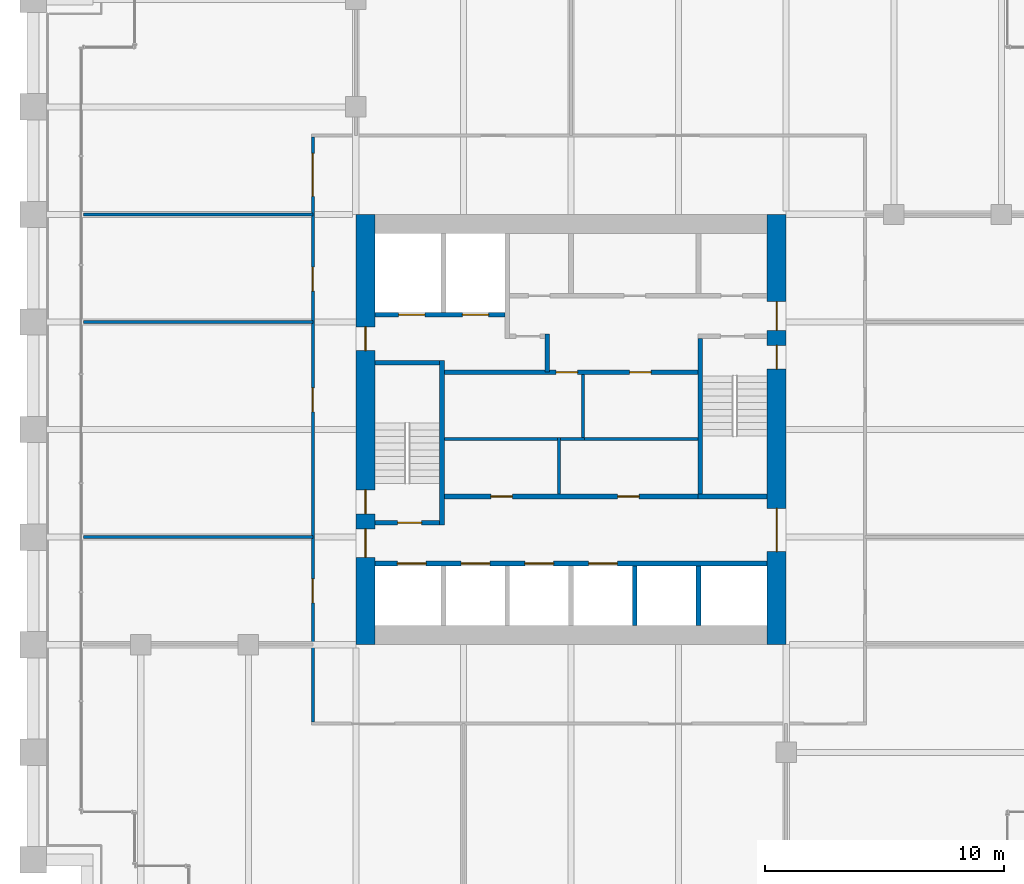
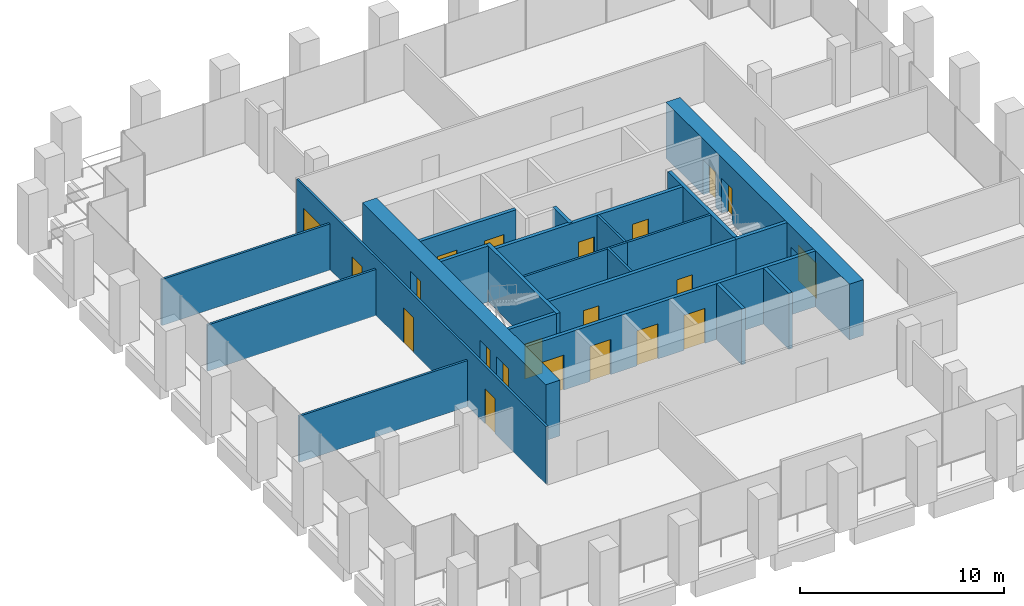
# One storey, part 50 of 56: 23 walls, 21 doors, 21 openings.
"""IFC4 building model written with IfcOpenShell, lengths in metres."""

from ifc_helpers import new_model, si_unit, direction, frame, frame_2d, origin, place, context, subcontext, project, spatial, rectangle, extrude, material, layer, layer_set, type_object, element, fill, save


model = new_model("IFC4")

# Units and contexts
model_context = context("Model", 3, precision=1e-05, world=origin(), true_north=direction((0.0, 1.0)))
body_context = subcontext(model_context, "Body", "Model", "MODEL_VIEW")
ifc_project = project(units=[si_unit("LENGTHUNIT", "METRE"), si_unit("AREAUNIT", "SQUARE_METRE"), si_unit("VOLUMEUNIT", "CUBIC_METRE"), si_unit("PLANEANGLEUNIT", "RADIAN"), si_unit("MASSUNIT", "GRAM", prefix="KILO")], contexts=[model_context])

# Site, building, storey
site_placement = place(None, origin())
site = spatial("IfcSite", under=ifc_project, at=site_placement, CompositionType="ELEMENT")
building_placement = place(site_placement, origin())
building = spatial("IfcBuilding", under=site, at=building_placement, Name="Altepetl Exchange Towers", CompositionType="ELEMENT")
storey_placement = place(building_placement, frame((0.0, 0.0, 79.800048828125)))
storey = spatial("IfcBuildingStorey", under=building, at=storey_placement, Name="L19", CompositionType="ELEMENT", Elevation=79.800048828125)

# Wall, openings, doors
ifc_material_1 = material(Name="Concrete C70/85", Category="concrete")
ifc_layer_1 = layer(ifc_material_1, 0.800048828125)
ifc_layer_set_1 = layer_set([ifc_layer_1], Name="Concrete C70/85")
wall_type_1 = type_object("IfcWallType", Name="Core wall 800 reinforced concrete", PredefinedType="SHEAR", material=ifc_layer_set_1)
wall_1_placement = place(storey_placement, frame((58.10009765625, 40.5, 0.0), z_axis=(0.0, 0.0, 1.0), x_axis=(0.0, 1.0, 0.0)))
wall_1 = element("IfcWall", 1, at=wall_1_placement, inside=storey, type_object=wall_type_1, Name="wall:A:L19:K-coreE", PredefinedType="SHEAR", context=body_context, shape_type="SweptSolid", body=[
    extrude(rectangle(XDim=18.0, YDim=0.800048828125, at=frame_2d((9.0, 0.0))), origin(), (0.0, 0.0, 1.0), 3.349853515625),
])
opening_1_placement = place(wall_1_placement, frame((13.14990234375, 0.0, 0.0)))
opening_1 = element("IfcOpeningElement", 2, at=opening_1_placement, cuts=wall_1, Name="Opening L19.A60", PredefinedType="OPENING", context=body_context, shape_type="SweptSolid", body=[
    extrude(rectangle(XDim=1.199951171875, YDim=2.10009765625, at=frame_2d((0.60009765625, 1.050048828125))), frame((0.0, 0.41015625, 0.0), z_axis=(0.0, -1.0, 0.0), x_axis=(1.0, 0.0, 0.0)), (0.0, 0.0, 1.0), 0.820068359375),
])
opening_2_placement = place(wall_1_placement, frame((3.89990234375, 0.0, 0.0)))
opening_2 = element("IfcOpeningElement", 3, at=opening_2_placement, cuts=wall_1, Name="Opening L19.A61", PredefinedType="OPENING", context=body_context, shape_type="SweptSolid", body=[
    extrude(rectangle(XDim=1.800048828125, YDim=2.10009765625, at=frame_2d((0.89990234375, 1.050048828125))), frame((0.0, 0.41015625, 0.0), z_axis=(0.0, -1.0, 0.0), x_axis=(1.0, 0.0, 0.0)), (0.0, 0.0, 1.0), 0.820068359375),
])
opening_3_placement = place(wall_1_placement, frame((11.52490234375, 0.0, 0.0)))
opening_3 = element("IfcOpeningElement", 4, at=opening_3_placement, cuts=wall_1, Name="Opening L19.A66", PredefinedType="OPENING", context=body_context, shape_type="SweptSolid", body=[
    extrude(rectangle(XDim=1.0, YDim=2.10009765625, at=frame_2d((0.5, 1.050048828125))), frame((0.0, 0.41015625, 0.0), z_axis=(0.0, -1.0, 0.0), x_axis=(1.0, 0.0, 0.0)), (0.0, 0.0, 1.0), 0.820068359375),
])
ifc_material_2 = material(Name="Steel and timber fire door", Category="steel")
door_type_1 = type_object("IfcDoorType", Name="Fire door 1000 x 2100 stair and lobby", OperationType="SINGLE_SWING_LEFT", PredefinedType="DOOR", material=ifc_material_2)
door_1_placement = place(opening_3_placement, origin())
door_1 = element("IfcDoor", 5, at=door_1_placement, inside=storey, type_object=door_type_1, Name="door:A:L19:K-dS2x", OperationType="SINGLE_SWING_RIGHT", OverallHeight=2.10009765625, OverallWidth=1.0, PredefinedType="DOOR", context=body_context, shape_type="SweptSolid", body=[
    extrude(rectangle(XDim=1.0, YDim=2.10009765625, at=frame_2d((0.5, 1.050048828125))), frame((0.0, 0.02490234375, 0.0), z_axis=(0.0, -1.0, 0.0), x_axis=(1.0, 0.0, 0.0)), (0.0, 0.0, 1.0), 0.050048828125),
])
fill(opening_3, door_1)
door_type_2 = type_object("IfcDoorType", Name="Fire door 1200 x 2100 lobby entry", OperationType="SINGLE_SWING_LEFT", PredefinedType="DOOR", material=ifc_material_2)
door_2_placement = place(opening_1_placement, origin())
door_2 = element("IfcDoor", 6, at=door_2_placement, inside=storey, type_object=door_type_2, Name="door:A:L19:K-dLNE", OperationType="SINGLE_SWING_RIGHT", OverallHeight=2.10009765625, OverallWidth=1.199951171875, PredefinedType="DOOR", context=body_context, shape_type="SweptSolid", body=[
    extrude(rectangle(XDim=1.199951171875, YDim=2.10009765625, at=frame_2d((0.60009765625, 1.050048828125))), frame((0.0, 0.02490234375, 0.0), z_axis=(0.0, -1.0, 0.0), x_axis=(1.0, 0.0, 0.0)), (0.0, 0.0, 1.0), 0.050048828125),
])
fill(opening_1, door_2)
door_type_3 = type_object("IfcDoorType", Name="Fire door 1800 x 2100 lobby entry", OperationType="DOUBLE_DOOR_SINGLE_SWING", PredefinedType="DOOR", material=ifc_material_2)
door_3_placement = place(opening_2_placement, origin())
door_3 = element("IfcDoor", 7, at=door_3_placement, inside=storey, type_object=door_type_3, Name="door:A:L19:K-dLSE", OperationType="DOUBLE_DOOR_SINGLE_SWING", OverallHeight=2.10009765625, OverallWidth=1.800048828125, PredefinedType="DOOR", context=body_context, shape_type="SweptSolid", body=[
    extrude(rectangle(XDim=1.800048828125, YDim=2.10009765625, at=frame_2d((0.89990234375, 1.050048828125))), frame((0.0, 0.02490234375, 0.0), z_axis=(0.0, -1.0, 0.0), x_axis=(1.0, 0.0, 0.0)), (0.0, 0.0, 1.0), 0.050048828125),
])
fill(opening_2, door_3)

wall_2_placement = place(storey_placement, frame((40.89990234375, 40.5, 0.0), z_axis=(0.0, 0.0, 1.0), x_axis=(0.0, 1.0, 0.0)))
wall_2 = element("IfcWall", 8, at=wall_2_placement, inside=storey, type_object=wall_type_1, Name="wall:A:L19:K-coreW", PredefinedType="SHEAR", context=body_context, shape_type="SweptSolid", body=[
    extrude(rectangle(XDim=18.0, YDim=0.800048828125, at=frame_2d((9.0, 0.0))), origin(), (0.0, 0.0, 1.0), 3.349853515625),
])
opening_4_placement = place(wall_2_placement, frame((3.64990234375, 0.0, 0.0)))
opening_4 = element("IfcOpeningElement", 9, at=opening_4_placement, cuts=wall_2, Name="Opening L19.A62", PredefinedType="OPENING", context=body_context, shape_type="SweptSolid", body=[
    extrude(rectangle(XDim=1.199951171875, YDim=2.10009765625, at=frame_2d((0.60009765625, 1.050048828125))), frame((0.0, 0.41015625, 0.0), z_axis=(0.0, -1.0, 0.0), x_axis=(1.0, 0.0, 0.0)), (0.0, 0.0, 1.0), 0.820068359375),
])
opening_5_placement = place(wall_2_placement, frame((5.47509765625, 0.0, 0.0)))
opening_5 = element("IfcOpeningElement", 10, at=opening_5_placement, cuts=wall_2, Name="Opening L19.A64", PredefinedType="OPENING", context=body_context, shape_type="SweptSolid", body=[
    extrude(rectangle(XDim=1.0, YDim=2.10009765625, at=frame_2d((0.5, 1.050048828125))), frame((0.0, 0.41015625, 0.0), z_axis=(0.0, -1.0, 0.0), x_axis=(1.0, 0.0, 0.0)), (0.0, 0.0, 1.0), 0.820068359375),
])
opening_6_placement = place(wall_2_placement, frame((12.300048828125, 0.0, 0.0)))
opening_6 = element("IfcOpeningElement", 11, at=opening_6_placement, cuts=wall_2, Name="Opening L19.A68", PredefinedType="OPENING", context=body_context, shape_type="SweptSolid", body=[
    extrude(rectangle(XDim=1.0, YDim=2.10009765625, at=frame_2d((0.5, 1.050048828125))), frame((0.0, 0.41015625, 0.0), z_axis=(0.0, -1.0, 0.0), x_axis=(1.0, 0.0, 0.0)), (0.0, 0.0, 1.0), 0.820068359375),
])
door_4_placement = place(opening_5_placement, frame((1.0, 0.0, 0.0), x_axis=(-1.0, 0.0, 0.0)))
door_4 = element("IfcDoor", 12, at=door_4_placement, inside=storey, type_object=door_type_1, Name="door:A:L19:K-dS1x", OperationType="SINGLE_SWING_RIGHT", OverallHeight=2.10009765625, OverallWidth=1.0, PredefinedType="DOOR", context=body_context, shape_type="SweptSolid", body=[
    extrude(rectangle(XDim=1.0, YDim=2.10009765625, at=frame_2d((0.5, 1.050048828125))), frame((0.0, 0.02490234375, 0.0), z_axis=(0.0, -1.0, 0.0), x_axis=(1.0, 0.0, 0.0)), (0.0, 0.0, 1.0), 0.050048828125),
])
fill(opening_5, door_4)
door_5_placement = place(opening_6_placement, frame((1.0, 0.0, 0.0), x_axis=(-1.0, 0.0, 0.0)))
door_5 = element("IfcDoor", 13, at=door_5_placement, inside=storey, type_object=door_type_1, Name="door:A:L19:K-dffW", OperationType="SINGLE_SWING_LEFT", OverallHeight=2.10009765625, OverallWidth=1.0, PredefinedType="DOOR", context=body_context, shape_type="SweptSolid", body=[
    extrude(rectangle(XDim=1.0, YDim=2.10009765625, at=frame_2d((0.5, 1.050048828125))), frame((0.0, 0.02490234375, 0.0), z_axis=(0.0, -1.0, 0.0), x_axis=(1.0, 0.0, 0.0)), (0.0, 0.0, 1.0), 0.050048828125),
])
fill(opening_6, door_5)
door_6_placement = place(opening_4_placement, frame((1.199951171875, 0.0, 0.0), x_axis=(-1.0, 0.0, 0.0)))
door_6 = element("IfcDoor", 14, at=door_6_placement, inside=storey, type_object=door_type_2, Name="door:A:L19:K-dLSW", OperationType="SINGLE_SWING_LEFT", OverallHeight=2.10009765625, OverallWidth=1.199951171875, PredefinedType="DOOR", context=body_context, shape_type="SweptSolid", body=[
    extrude(rectangle(XDim=1.199951171875, YDim=2.10009765625, at=frame_2d((0.60009765625, 1.050048828125))), frame((0.0, 0.02490234375, 0.0), z_axis=(0.0, -1.0, 0.0), x_axis=(1.0, 0.0, 0.0)), (0.0, 0.0, 1.0), 0.050048828125),
])
fill(opening_4, door_6)

# Wall
ifc_material_3 = material(Name="Concrete blockwork", Category="masonry")
ifc_layer_2 = layer(ifc_material_3, 0.199951171875)
ifc_layer_set_2 = layer_set([ifc_layer_2], Name="Concrete blockwork")
wall_type_2 = type_object("IfcWallType", Name="Lobby wall 200 blockwork", PredefinedType="PARTITIONING", material=ifc_layer_set_2)
wall_3_placement = place(storey_placement, frame((48.5, 51.89990234375, 0.0), z_axis=(0.0, 0.0, 1.0), x_axis=(0.0, 1.0, 0.0)))
element("IfcWall", 15, at=wall_3_placement, inside=storey, type_object=wall_type_2, Name="wall:A:L19:K-ffE", PredefinedType="PARTITIONING", context=body_context, shape_type="SweptSolid", body=[
    extrude(rectangle(XDim=1.60009765625, YDim=0.199951171875, at=frame_2d((0.800048828125, 0.0))), origin(), (0.0, 0.0, 1.0), 3.349853515625),
])

# Wall, openings, doors
wall_4_placement = place(storey_placement, frame((44.199951171875, 51.89990234375, 0.0)))
wall_4 = element("IfcWall", 16, at=wall_4_placement, inside=storey, type_object=wall_type_2, Name="wall:A:L19:K-zoneN", PredefinedType="PARTITIONING", context=body_context, shape_type="SweptSolid", body=[
    extrude(rectangle(XDim=10.60009765625, YDim=0.199951171875, at=frame_2d((5.300048828125, 0.0))), origin(), (0.0, 0.0, 1.0), 3.349853515625),
])
opening_7_placement = place(wall_4_placement, frame((4.675048828125, 0.0, 0.0)))
opening_7 = element("IfcOpeningElement", 17, at=opening_7_placement, cuts=wall_4, Name="Opening L19.A74", PredefinedType="OPENING", context=body_context, shape_type="SweptSolid", body=[
    extrude(rectangle(XDim=0.89990234375, YDim=2.10009765625, at=frame_2d((0.449951171875, 1.050048828125))), frame((0.0, 0.10986328125, 0.0), z_axis=(0.0, -1.0, 0.0), x_axis=(1.0, 0.0, 0.0)), (0.0, 0.0, 1.0), 0.219970703125),
])
opening_8_placement = place(wall_4_placement, frame((7.75, 0.0, 0.0)))
opening_8 = element("IfcOpeningElement", 18, at=opening_8_placement, cuts=wall_4, Name="Opening L19.A75", PredefinedType="OPENING", context=body_context, shape_type="SweptSolid", body=[
    extrude(rectangle(XDim=0.89990234375, YDim=2.10009765625, at=frame_2d((0.449951171875, 1.050048828125))), frame((0.0, 0.10986328125, 0.0), z_axis=(0.0, -1.0, 0.0), x_axis=(1.0, 0.0, 0.0)), (0.0, 0.0, 1.0), 0.219970703125),
])
door_type_4 = type_object("IfcDoorType", Name="Fire door 900 x 2100 service room", OperationType="SINGLE_SWING_LEFT", PredefinedType="DOOR", material=ifc_material_2)
door_7_placement = place(opening_7_placement, frame((0.89990234375, 0.0, 0.0), x_axis=(-1.0, 0.0, 0.0)))
door_7 = element("IfcDoor", 19, at=door_7_placement, inside=storey, type_object=door_type_4, Name="door:A:L19:K-dz3", OperationType="SINGLE_SWING_LEFT", OverallHeight=2.10009765625, OverallWidth=0.89990234375, PredefinedType="DOOR", context=body_context, shape_type="SweptSolid", body=[
    extrude(rectangle(XDim=0.89990234375, YDim=2.10009765625, at=frame_2d((0.449951171875, 1.050048828125))), frame((0.0, 0.02490234375, 0.0), z_axis=(0.0, -1.0, 0.0), x_axis=(1.0, 0.0, 0.0)), (0.0, 0.0, 1.0), 0.050048828125),
])
fill(opening_7, door_7)
door_8_placement = place(opening_8_placement, frame((0.89990234375, 0.0, 0.0), x_axis=(-1.0, 0.0, 0.0)))
door_8 = element("IfcDoor", 20, at=door_8_placement, inside=storey, type_object=door_type_4, Name="door:A:L19:K-dz4", OperationType="SINGLE_SWING_LEFT", OverallHeight=2.10009765625, OverallWidth=0.89990234375, PredefinedType="DOOR", context=body_context, shape_type="SweptSolid", body=[
    extrude(rectangle(XDim=0.89990234375, YDim=2.10009765625, at=frame_2d((0.449951171875, 1.050048828125))), frame((0.0, 0.02490234375, 0.0), z_axis=(0.0, -1.0, 0.0), x_axis=(1.0, 0.0, 0.0)), (0.0, 0.0, 1.0), 0.050048828125),
])
fill(opening_8, door_8)

wall_5_placement = place(storey_placement, frame((44.199951171875, 46.699951171875, 0.0)))
wall_5 = element("IfcWall", 21, at=wall_5_placement, inside=storey, type_object=wall_type_2, Name="wall:A:L19:K-zoneS", PredefinedType="PARTITIONING", context=body_context, shape_type="SweptSolid", body=[
    extrude(rectangle(XDim=10.60009765625, YDim=0.199951171875, at=frame_2d((5.300048828125, 0.0))), origin(), (0.0, 0.0, 1.0), 3.349853515625),
])
opening_9_placement = place(wall_5_placement, frame((1.949951171875, 0.0, 0.0)))
opening_9 = element("IfcOpeningElement", 22, at=opening_9_placement, cuts=wall_5, Name="Opening L19.A72", PredefinedType="OPENING", context=body_context, shape_type="SweptSolid", body=[
    extrude(rectangle(XDim=0.89990234375, YDim=2.10009765625, at=frame_2d((0.449951171875, 1.050048828125))), frame((0.0, 0.10986328125, 0.0), z_axis=(0.0, -1.0, 0.0), x_axis=(1.0, 0.0, 0.0)), (0.0, 0.0, 1.0), 0.219970703125),
])
opening_10_placement = place(wall_5_placement, frame((7.25, 0.0, 0.0)))
opening_10 = element("IfcOpeningElement", 23, at=opening_10_placement, cuts=wall_5, Name="Opening L19.A73", PredefinedType="OPENING", context=body_context, shape_type="SweptSolid", body=[
    extrude(rectangle(XDim=0.89990234375, YDim=2.10009765625, at=frame_2d((0.449951171875, 1.050048828125))), frame((0.0, 0.10986328125, 0.0), z_axis=(0.0, -1.0, 0.0), x_axis=(1.0, 0.0, 0.0)), (0.0, 0.0, 1.0), 0.219970703125),
])
door_9_placement = place(opening_9_placement, origin())
door_9 = element("IfcDoor", 24, at=door_9_placement, inside=storey, type_object=door_type_4, Name="door:A:L19:K-dz1", OperationType="SINGLE_SWING_LEFT", OverallHeight=2.10009765625, OverallWidth=0.89990234375, PredefinedType="DOOR", context=body_context, shape_type="SweptSolid", body=[
    extrude(rectangle(XDim=0.89990234375, YDim=2.10009765625, at=frame_2d((0.449951171875, 1.050048828125))), frame((0.0, 0.02490234375, 0.0), z_axis=(0.0, -1.0, 0.0), x_axis=(1.0, 0.0, 0.0)), (0.0, 0.0, 1.0), 0.050048828125),
])
fill(opening_9, door_9)
door_10_placement = place(opening_10_placement, origin())
door_10 = element("IfcDoor", 25, at=door_10_placement, inside=storey, type_object=door_type_4, Name="door:A:L19:K-dz2", OperationType="SINGLE_SWING_RIGHT", OverallHeight=2.10009765625, OverallWidth=0.89990234375, PredefinedType="DOOR", context=body_context, shape_type="SweptSolid", body=[
    extrude(rectangle(XDim=0.89990234375, YDim=2.10009765625, at=frame_2d((0.449951171875, 1.050048828125))), frame((0.0, 0.02490234375, 0.0), z_axis=(0.0, -1.0, 0.0), x_axis=(1.0, 0.0, 0.0)), (0.0, 0.0, 1.0), 0.050048828125),
])
fill(opening_10, door_10)

# Walls
ifc_material_4 = material(Name="Gypsum board on steel studs", Category="steel")
ifc_layer_3 = layer(ifc_material_4, 0.125)
ifc_layer_set_3 = layer_set([ifc_layer_3], Name="Gypsum board on steel studs")
wall_type_3 = type_object("IfcWallType", Name="Partition 125 gypsum board on steel studs", PredefinedType="PARTITIONING", material=ifc_layer_set_3)
wall_6_placement = place(storey_placement, frame((49.0, 46.800048828125, 0.0), z_axis=(0.0, 0.0, 1.0), x_axis=(0.0, 1.0, 0.0)))
element("IfcWall", 26, at=wall_6_placement, inside=storey, type_object=wall_type_3, Name="wall:A:L19:K-zp1", PredefinedType="PARTITIONING", context=body_context, shape_type="SweptSolid", body=[
    extrude(rectangle(XDim=2.362548828125, YDim=0.125, at=frame_2d((1.18115234375, 0.0))), origin(), (0.0, 0.0, 1.0), 3.349853515625),
])
wall_7_placement = place(storey_placement, frame((49.0, 49.10009765625, 0.0), z_axis=(0.0, 0.0, 1.0), x_axis=(-1.0, 0.0, 0.0)))
element("IfcWall", 27, at=wall_7_placement, inside=storey, type_object=wall_type_3, Name="wall:A:L19:K-zp2", PredefinedType="PARTITIONING", context=body_context, shape_type="SweptSolid", body=[
    extrude(rectangle(XDim=4.800048828125, YDim=0.125, at=frame_2d((2.39990234375, 0.0))), origin(), (0.0, 0.0, 1.0), 3.349853515625),
])
wall_8_placement = place(storey_placement, frame((50.0625, 49.10009765625, 0.0), z_axis=(0.0, 0.0, 1.0), x_axis=(-1.0, 0.0, 0.0)))
element("IfcWall", 28, at=wall_8_placement, inside=storey, type_object=wall_type_3, Name="wall:A:L19:K-zp3", PredefinedType="PARTITIONING", context=body_context, shape_type="SweptSolid", body=[
    extrude(rectangle(XDim=1.0, YDim=0.125, at=frame_2d((0.5, 0.0))), origin(), (0.0, 0.0, 1.0), 3.349853515625),
])
wall_9_placement = place(storey_placement, frame((54.800048828125, 49.10009765625, 0.0), z_axis=(0.0, 0.0, 1.0), x_axis=(-1.0, 0.0, 0.0)))
element("IfcWall", 29, at=wall_9_placement, inside=storey, type_object=wall_type_3, Name="wall:A:L19:K-zp4", PredefinedType="PARTITIONING", context=body_context, shape_type="SweptSolid", body=[
    extrude(rectangle(XDim=4.800048828125, YDim=0.125, at=frame_2d((2.39990234375, 0.0))), origin(), (0.0, 0.0, 1.0), 3.349853515625),
])
wall_10_placement = place(storey_placement, frame((50.0, 49.16259765625, 0.0), z_axis=(0.0, 0.0, 1.0), x_axis=(0.0, 1.0, 0.0)))
element("IfcWall", 30, at=wall_10_placement, inside=storey, type_object=wall_type_3, Name="wall:A:L19:K-zp5", PredefinedType="PARTITIONING", context=body_context, shape_type="SweptSolid", body=[
    extrude(rectangle(XDim=2.637451171875, YDim=0.125, at=frame_2d((1.31884765625, 0.0))), origin(), (0.0, 0.0, 1.0), 3.349853515625),
])
for number, where, name in (
    (31, (29.10009765625, 45.0, 0.0), "wall:A:L19:P06"),
    (32, (29.10009765625, 54.0, 0.0), "wall:A:L19:P08"),
    (33, (29.10009765625, 58.5, 0.0), "wall:A:L19:P10"),
):
    element("IfcWall", number, at=place(storey_placement, frame(where)), inside=storey, type_object=wall_type_3, Name=name, PredefinedType="PARTITIONING", context=body_context, shape_type="SweptSolid", body=[
        extrude(rectangle(XDim=9.599853515625, YDim=0.125, at=frame_2d((4.7998046875, 0.0))), origin(), (0.0, 0.0, 1.0), 2.765869140625),
    ])

# Wall, openings, doors
wall_11_placement = place(storey_placement, frame((38.699951171875, 37.262451171875, 0.0), z_axis=(0.0, 0.0, 1.0), x_axis=(0.0, 1.0, 0.0)))
wall_11 = element("IfcWall", 34, at=wall_11_placement, inside=storey, type_object=wall_type_3, Name="wall:A:L19:P15", PredefinedType="PARTITIONING", context=body_context, shape_type="SweptSolid", body=[
    extrude(rectangle(XDim=24.47509765625, YDim=0.125, at=frame_2d((12.237548828125, 0.0))), origin(), (0.0, 0.0, 1.0), 3.449951171875),
])
opening_11_placement = place(wall_11_placement, frame((4.987548828125, 0.0, 0.0)))
opening_11 = element("IfcOpeningElement", 35, at=opening_11_placement, cuts=wall_11, Name="Opening L19.A01", PredefinedType="OPENING", context=body_context, shape_type="SweptSolid", body=[
    extrude(rectangle(XDim=1.0, YDim=2.10009765625, at=frame_2d((0.5, 1.050048828125))), frame((0.0, 0.072509765625, 0.0), z_axis=(0.0, -1.0, 0.0), x_axis=(1.0, 0.0, 0.0)), (0.0, 0.0, 1.0), 0.14501953125),
])
opening_12_placement = place(wall_11_placement, frame((21.987548828125, 0.0, 0.0)))
opening_12 = element("IfcOpeningElement", 36, at=opening_12_placement, cuts=wall_11, Name="Opening L19.A10", PredefinedType="OPENING", context=body_context, shape_type="SweptSolid", body=[
    extrude(rectangle(XDim=1.800048828125, YDim=2.10009765625, at=frame_2d((0.89990234375, 1.050048828125))), frame((0.0, 0.072509765625, 0.0), z_axis=(0.0, -1.0, 0.0), x_axis=(1.0, 0.0, 0.0)), (0.0, 0.0, 1.0), 0.14501953125),
])
opening_13_placement = place(wall_11_placement, frame((18.032470703125, 0.0, 0.0)))
opening_13 = element("IfcOpeningElement", 37, at=opening_13_placement, cuts=wall_11, Name="Opening L19.A11", PredefinedType="OPENING", context=body_context, shape_type="SweptSolid", body=[
    extrude(rectangle(XDim=1.0, YDim=2.10009765625, at=frame_2d((0.5, 1.050048828125))), frame((0.0, 0.072509765625, 0.0), z_axis=(0.0, -1.0, 0.0), x_axis=(1.0, 0.0, 0.0)), (0.0, 0.0, 1.0), 0.14501953125),
])
opening_14_placement = place(wall_11_placement, frame((12.9794921875, 0.0, 0.0)))
opening_14 = element("IfcOpeningElement", 38, at=opening_14_placement, cuts=wall_11, Name="Opening L19.A12", PredefinedType="OPENING", context=body_context, shape_type="SweptSolid", body=[
    extrude(rectangle(XDim=1.0, YDim=2.10009765625, at=frame_2d((0.5, 1.050048828125))), frame((0.0, 0.072509765625, 0.0), z_axis=(0.0, -1.0, 0.0), x_axis=(1.0, 0.0, 0.0)), (0.0, 0.0, 1.0), 0.14501953125),
])
door_type_5 = type_object("IfcDoorType", Name="Fire door 1000 x 2100 single leaf", OperationType="SINGLE_SWING_LEFT", PredefinedType="DOOR", material=ifc_material_2)
door_11_placement = place(opening_11_placement, origin())
door_11 = element("IfcDoor", 39, at=door_11_placement, inside=storey, type_object=door_type_5, Name="door:A:L19:01", OperationType="SINGLE_SWING_RIGHT", OverallHeight=2.10009765625, OverallWidth=1.0, PredefinedType="DOOR", context=body_context, shape_type="SweptSolid", body=[
    extrude(rectangle(XDim=1.0, YDim=2.10009765625, at=frame_2d((0.5, 1.050048828125))), frame((0.0, 0.02490234375, 0.0), z_axis=(0.0, -1.0, 0.0), x_axis=(1.0, 0.0, 0.0)), (0.0, 0.0, 1.0), 0.050048828125),
])
fill(opening_11, door_11)
door_12_placement = place(opening_13_placement, origin())
door_12 = element("IfcDoor", 40, at=door_12_placement, inside=storey, type_object=door_type_5, Name="door:A:L19:11", OperationType="SINGLE_SWING_RIGHT", OverallHeight=2.10009765625, OverallWidth=1.0, PredefinedType="DOOR", context=body_context, shape_type="SweptSolid", body=[
    extrude(rectangle(XDim=1.0, YDim=2.10009765625, at=frame_2d((0.5, 1.050048828125))), frame((0.0, 0.02490234375, 0.0), z_axis=(0.0, -1.0, 0.0), x_axis=(1.0, 0.0, 0.0)), (0.0, 0.0, 1.0), 0.050048828125),
])
fill(opening_13, door_12)
door_13_placement = place(opening_14_placement, origin())
door_13 = element("IfcDoor", 41, at=door_13_placement, inside=storey, type_object=door_type_5, Name="door:A:L19:12", OperationType="SINGLE_SWING_RIGHT", OverallHeight=2.10009765625, OverallWidth=1.0, PredefinedType="DOOR", context=body_context, shape_type="SweptSolid", body=[
    extrude(rectangle(XDim=1.0, YDim=2.10009765625, at=frame_2d((0.5, 1.050048828125))), frame((0.0, 0.02490234375, 0.0), z_axis=(0.0, -1.0, 0.0), x_axis=(1.0, 0.0, 0.0)), (0.0, 0.0, 1.0), 0.050048828125),
])
fill(opening_14, door_13)
door_type_6 = type_object("IfcDoorType", Name="Fire door 1800 x 2100 double leaf", OperationType="DOUBLE_DOOR_SINGLE_SWING", PredefinedType="DOOR", material=ifc_material_2)
door_14_placement = place(opening_12_placement, origin())
door_14 = element("IfcDoor", 42, at=door_14_placement, inside=storey, type_object=door_type_6, Name="door:A:L19:10", OperationType="DOUBLE_DOOR_SINGLE_SWING", OverallHeight=2.10009765625, OverallWidth=1.800048828125, PredefinedType="DOOR", context=body_context, shape_type="SweptSolid", body=[
    extrude(rectangle(XDim=1.800048828125, YDim=2.10009765625, at=frame_2d((0.89990234375, 1.050048828125))), frame((0.0, 0.02490234375, 0.0), z_axis=(0.0, -1.0, 0.0), x_axis=(1.0, 0.0, 0.0)), (0.0, 0.0, 1.0), 0.050048828125),
])
fill(opening_12, door_14)

# Walls
ifc_material_5 = material(Name="Concrete C40/50", Category="concrete")
ifc_layer_4 = layer(ifc_material_5, 0.199951171875)
ifc_layer_set_4 = layer_set([ifc_layer_4], Name="Concrete C40/50")
wall_type_4 = type_object("IfcWallType", Name="Shaft wall 200 reinforced concrete", PredefinedType="SHEAR", material=ifc_layer_set_4)
for number, where, z_axis, x_axis, name in (
    (43, (52.166748046875, 41.300048828125, 0.0), (0.0, 0.0, 1.0), (0.0, 1.0, 0.0), "wall:A:L19:K-divS4"),
    (44, (54.833251953125, 41.300048828125, 0.0), (0.0, 0.0, 1.0), (0.0, 1.0, 0.0), "wall:A:L19:K-divS5"),
):
    element("IfcWall", number, at=place(storey_placement, frame(where, z_axis=z_axis, x_axis=x_axis)), inside=storey, type_object=wall_type_4, Name=name, PredefinedType="SHEAR", context=body_context, shape_type="SweptSolid", body=[
        extrude(rectangle(XDim=2.5, YDim=0.199951171875, at=frame_2d((1.25, 0.0))), origin(), (0.0, 0.0, 1.0), 3.349853515625),
    ])

# Wall, openings, doors
wall_12_placement = place(storey_placement, frame((41.300048828125, 54.300048828125, 0.0)))
wall_12 = element("IfcWall", 45, at=wall_12_placement, inside=storey, type_object=wall_type_4, Name="wall:A:L19:K-frontNd", PredefinedType="SHEAR", context=body_context, shape_type="SweptSolid", body=[
    extrude(rectangle(XDim=5.433349609375, YDim=0.199951171875, at=frame_2d((2.716796875, 0.0))), origin(), (0.0, 0.0, 1.0), 3.349853515625),
])
opening_15_placement = place(wall_12_placement, frame((0.9833984375, 0.0, 0.0)))
opening_15 = element("IfcOpeningElement", 46, at=opening_15_placement, cuts=wall_12, Name="Opening L19.A76", PredefinedType="OPENING", context=body_context, shape_type="SweptSolid", body=[
    extrude(rectangle(XDim=1.10009765625, YDim=2.10009765625, at=frame_2d((0.550048828125, 1.050048828125))), frame((0.0, 0.10986328125, 0.0), z_axis=(0.0, -1.0, 0.0), x_axis=(1.0, 0.0, 0.0)), (0.0, 0.0, 1.0), 0.219970703125),
])
opening_16_placement = place(wall_12_placement, frame((3.64990234375, 0.0, 0.0)))
opening_16 = element("IfcOpeningElement", 47, at=opening_16_placement, cuts=wall_12, Name="Opening L19.A77", PredefinedType="OPENING", context=body_context, shape_type="SweptSolid", body=[
    extrude(rectangle(XDim=1.10009765625, YDim=2.10009765625, at=frame_2d((0.550048828125, 1.050048828125))), frame((0.0, 0.10986328125, 0.0), z_axis=(0.0, -1.0, 0.0), x_axis=(1.0, 0.0, 0.0)), (0.0, 0.0, 1.0), 0.219970703125),
])
ifc_material_6 = material(Name="Stainless steel", Category="steel")
door_type_7 = type_object("IfcDoorType", Name="Lift landing door 1100 x 2100", OperationType="SLIDING_TO_LEFT", PredefinedType="DOOR", material=ifc_material_6)
door_15_placement = place(opening_15_placement, origin())
door_15 = element("IfcDoor", 48, at=door_15_placement, inside=storey, type_object=door_type_7, Name="Landing door FFL1", OperationType="SLIDING_TO_LEFT", OverallHeight=2.10009765625, OverallWidth=1.10009765625, PredefinedType="DOOR", context=body_context, shape_type="SweptSolid", body=[
    extrude(rectangle(XDim=1.10009765625, YDim=2.10009765625, at=frame_2d((0.550048828125, 1.050048828125))), frame((0.0, 0.02490234375, 0.0), z_axis=(0.0, -1.0, 0.0), x_axis=(1.0, 0.0, 0.0)), (0.0, 0.0, 1.0), 0.050048828125),
])
fill(opening_15, door_15)
door_16_placement = place(opening_16_placement, origin())
door_16 = element("IfcDoor", 49, at=door_16_placement, inside=storey, type_object=door_type_7, Name="Landing door FFL2", OperationType="SLIDING_TO_LEFT", OverallHeight=2.10009765625, OverallWidth=1.10009765625, PredefinedType="DOOR", context=body_context, shape_type="SweptSolid", body=[
    extrude(rectangle(XDim=1.10009765625, YDim=2.10009765625, at=frame_2d((0.550048828125, 1.050048828125))), frame((0.0, 0.02490234375, 0.0), z_axis=(0.0, -1.0, 0.0), x_axis=(1.0, 0.0, 0.0)), (0.0, 0.0, 1.0), 0.050048828125),
])
fill(opening_16, door_16)

wall_13_placement = place(storey_placement, frame((41.300048828125, 43.89990234375, 0.0)))
wall_13 = element("IfcWall", 50, at=wall_13_placement, inside=storey, type_object=wall_type_4, Name="wall:A:L19:K-frontS", PredefinedType="SHEAR", context=body_context, shape_type="SweptSolid", body=[
    extrude(rectangle(XDim=16.39990234375, YDim=0.199951171875, at=frame_2d((8.199951171875, 0.0))), origin(), (0.0, 0.0, 1.0), 3.349853515625),
])
opening_17_placement = place(wall_13_placement, frame((0.933349609375, 0.0, 0.0)))
opening_17 = element("IfcOpeningElement", 51, at=opening_17_placement, cuts=wall_13, Name="Opening L19.A78", PredefinedType="OPENING", context=body_context, shape_type="SweptSolid", body=[
    extrude(rectangle(XDim=1.199951171875, YDim=2.10009765625, at=frame_2d((0.60009765625, 1.050048828125))), frame((0.0, 0.10986328125, 0.0), z_axis=(0.0, -1.0, 0.0), x_axis=(1.0, 0.0, 0.0)), (0.0, 0.0, 1.0), 0.219970703125),
])
opening_18_placement = place(wall_13_placement, frame((3.60009765625, 0.0, 0.0)))
opening_18 = element("IfcOpeningElement", 52, at=opening_18_placement, cuts=wall_13, Name="Opening L19.A79", PredefinedType="OPENING", context=body_context, shape_type="SweptSolid", body=[
    extrude(rectangle(XDim=1.199951171875, YDim=2.10009765625, at=frame_2d((0.60009765625, 1.050048828125))), frame((0.0, 0.10986328125, 0.0), z_axis=(0.0, -1.0, 0.0), x_axis=(1.0, 0.0, 0.0)), (0.0, 0.0, 1.0), 0.219970703125),
])
opening_19_placement = place(wall_13_placement, frame((6.2666015625, 0.0, 0.0)))
opening_19 = element("IfcOpeningElement", 53, at=opening_19_placement, cuts=wall_13, Name="Opening L19.A80", PredefinedType="OPENING", context=body_context, shape_type="SweptSolid", body=[
    extrude(rectangle(XDim=1.199951171875, YDim=2.10009765625, at=frame_2d((0.60009765625, 1.050048828125))), frame((0.0, 0.10986328125, 0.0), z_axis=(0.0, -1.0, 0.0), x_axis=(1.0, 0.0, 0.0)), (0.0, 0.0, 1.0), 0.219970703125),
])
opening_20_placement = place(wall_13_placement, frame((8.933349609375, 0.0, 0.0)))
opening_20 = element("IfcOpeningElement", 54, at=opening_20_placement, cuts=wall_13, Name="Opening L19.A81", PredefinedType="OPENING", context=body_context, shape_type="SweptSolid", body=[
    extrude(rectangle(XDim=1.199951171875, YDim=2.10009765625, at=frame_2d((0.60009765625, 1.050048828125))), frame((0.0, 0.10986328125, 0.0), z_axis=(0.0, -1.0, 0.0), x_axis=(1.0, 0.0, 0.0)), (0.0, 0.0, 1.0), 0.219970703125),
])
door_type_8 = type_object("IfcDoorType", Name="Lift landing door 1200 x 2100", OperationType="SLIDING_TO_LEFT", PredefinedType="DOOR", material=ifc_material_6)
door_17_placement = place(opening_17_placement, origin())
door_17 = element("IfcDoor", 55, at=door_17_placement, inside=storey, type_object=door_type_8, Name="Landing door P1", OperationType="SLIDING_TO_LEFT", OverallHeight=2.10009765625, OverallWidth=1.199951171875, PredefinedType="DOOR", context=body_context, shape_type="SweptSolid", body=[
    extrude(rectangle(XDim=1.199951171875, YDim=2.10009765625, at=frame_2d((0.60009765625, 1.050048828125))), frame((0.0, 0.02490234375, 0.0), z_axis=(0.0, -1.0, 0.0), x_axis=(1.0, 0.0, 0.0)), (0.0, 0.0, 1.0), 0.050048828125),
])
fill(opening_17, door_17)
door_18_placement = place(opening_18_placement, origin())
door_18 = element("IfcDoor", 56, at=door_18_placement, inside=storey, type_object=door_type_8, Name="Landing door P2", OperationType="SLIDING_TO_LEFT", OverallHeight=2.10009765625, OverallWidth=1.199951171875, PredefinedType="DOOR", context=body_context, shape_type="SweptSolid", body=[
    extrude(rectangle(XDim=1.199951171875, YDim=2.10009765625, at=frame_2d((0.60009765625, 1.050048828125))), frame((0.0, 0.02490234375, 0.0), z_axis=(0.0, -1.0, 0.0), x_axis=(1.0, 0.0, 0.0)), (0.0, 0.0, 1.0), 0.050048828125),
])
fill(opening_18, door_18)
door_19_placement = place(opening_19_placement, origin())
door_19 = element("IfcDoor", 57, at=door_19_placement, inside=storey, type_object=door_type_8, Name="Landing door P3", OperationType="SLIDING_TO_LEFT", OverallHeight=2.10009765625, OverallWidth=1.199951171875, PredefinedType="DOOR", context=body_context, shape_type="SweptSolid", body=[
    extrude(rectangle(XDim=1.199951171875, YDim=2.10009765625, at=frame_2d((0.60009765625, 1.050048828125))), frame((0.0, 0.02490234375, 0.0), z_axis=(0.0, -1.0, 0.0), x_axis=(1.0, 0.0, 0.0)), (0.0, 0.0, 1.0), 0.050048828125),
])
fill(opening_19, door_19)
door_20_placement = place(opening_20_placement, origin())
door_20 = element("IfcDoor", 58, at=door_20_placement, inside=storey, type_object=door_type_8, Name="Landing door P4", OperationType="SLIDING_TO_LEFT", OverallHeight=2.10009765625, OverallWidth=1.199951171875, PredefinedType="DOOR", context=body_context, shape_type="SweptSolid", body=[
    extrude(rectangle(XDim=1.199951171875, YDim=2.10009765625, at=frame_2d((0.60009765625, 1.050048828125))), frame((0.0, 0.02490234375, 0.0), z_axis=(0.0, -1.0, 0.0), x_axis=(1.0, 0.0, 0.0)), (0.0, 0.0, 1.0), 0.050048828125),
])
fill(opening_20, door_20)

# Walls
ifc_layer_5 = layer(ifc_material_5, 0.199951171875)
ifc_layer_set_5 = layer_set([ifc_layer_5], Name="Concrete C40/50")
wall_type_5 = type_object("IfcWallType", Name="Stair wall 200 reinforced concrete", PredefinedType="SHEAR", material=ifc_layer_set_5)
wall_14_placement = place(storey_placement, frame((44.10009765625, 45.5, 0.0), z_axis=(0.0, 0.0, 1.0), x_axis=(0.0, 1.0, 0.0)))
element("IfcWall", 59, at=wall_14_placement, inside=storey, type_object=wall_type_5, Name="wall:A:L19:K-stS1E", PredefinedType="SHEAR", context=body_context, shape_type="SweptSolid", body=[
    extrude(rectangle(XDim=6.89990234375, YDim=0.199951171875, at=frame_2d((3.449951171875, 0.0))), origin(), (0.0, 0.0, 1.0), 3.349853515625),
])
wall_15_placement = place(storey_placement, frame((41.300048828125, 52.300048828125, 0.0)))
element("IfcWall", 60, at=wall_15_placement, inside=storey, type_object=wall_type_5, Name="wall:A:L19:K-stS1N", PredefinedType="SHEAR", context=body_context, shape_type="SweptSolid", body=[
    extrude(rectangle(XDim=2.699951171875, YDim=0.199951171875, at=frame_2d((1.35009765625, 0.0))), origin(), (0.0, 0.0, 1.0), 3.349853515625),
])

# Wall, opening, door
wall_16_placement = place(storey_placement, frame((41.300048828125, 45.60009765625, 0.0)))
wall_16 = element("IfcWall", 61, at=wall_16_placement, inside=storey, type_object=wall_type_5, Name="wall:A:L19:K-stS1S", PredefinedType="SHEAR", context=body_context, shape_type="SweptSolid", body=[
    extrude(rectangle(XDim=2.699951171875, YDim=0.199951171875, at=frame_2d((1.35009765625, 0.0))), origin(), (0.0, 0.0, 1.0), 3.349853515625),
])
opening_21_placement = place(wall_16_placement, frame((0.949951171875, 0.0, 0.0)))
opening_21 = element("IfcOpeningElement", 62, at=opening_21_placement, cuts=wall_16, Name="Opening L19.A63", PredefinedType="OPENING", context=body_context, shape_type="SweptSolid", body=[
    extrude(rectangle(XDim=1.0, YDim=2.10009765625, at=frame_2d((0.5, 1.050048828125))), frame((0.0, 0.10986328125, 0.0), z_axis=(0.0, -1.0, 0.0), x_axis=(1.0, 0.0, 0.0)), (0.0, 0.0, 1.0), 0.219970703125),
])
door_21_placement = place(opening_21_placement, origin())
door_21 = element("IfcDoor", 63, at=door_21_placement, inside=storey, type_object=door_type_1, Name="door:A:L19:K-dS1in", OperationType="SINGLE_SWING_RIGHT", OverallHeight=2.10009765625, OverallWidth=1.0, PredefinedType="DOOR", context=body_context, shape_type="SweptSolid", body=[
    extrude(rectangle(XDim=1.0, YDim=2.10009765625, at=frame_2d((0.5, 1.050048828125))), frame((0.0, 0.02490234375, 0.0), z_axis=(0.0, -1.0, 0.0), x_axis=(1.0, 0.0, 0.0)), (0.0, 0.0, 1.0), 0.050048828125),
])
fill(opening_21, door_21)

# Walls
wall_17_placement = place(storey_placement, frame((54.800048828125, 46.699951171875, 0.0)))
element("IfcWall", 64, at=wall_17_placement, inside=storey, type_object=wall_type_5, Name="wall:A:L19:K-stS2S", PredefinedType="SHEAR", context=body_context, shape_type="SweptSolid", body=[
    extrude(rectangle(XDim=2.89990234375, YDim=0.199951171875, at=frame_2d((1.449951171875, 0.0))), origin(), (0.0, 0.0, 1.0), 3.349853515625),
])
wall_18_placement = place(storey_placement, frame((54.89990234375, 46.800048828125, 0.0), z_axis=(0.0, 0.0, 1.0), x_axis=(0.0, 1.0, 0.0)))
element("IfcWall", 65, at=wall_18_placement, inside=storey, type_object=wall_type_5, Name="wall:A:L19:K-stS2W", PredefinedType="SHEAR", context=body_context, shape_type="SweptSolid", body=[
    extrude(rectangle(XDim=6.5, YDim=0.199951171875, at=frame_2d((3.25, 0.0))), origin(), (0.0, 0.0, 1.0), 3.349853515625),
])

save(model, "model.ifc")
